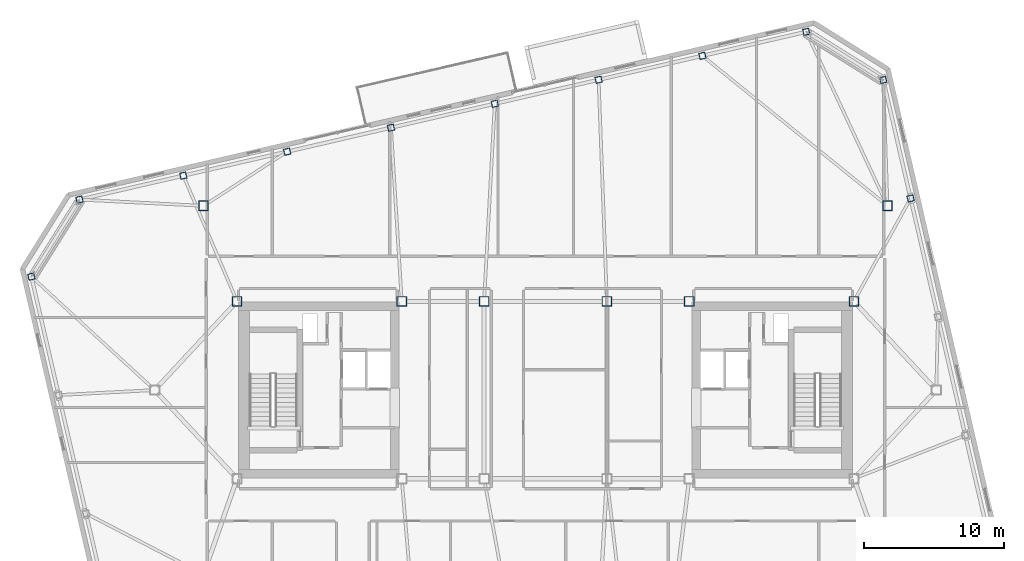
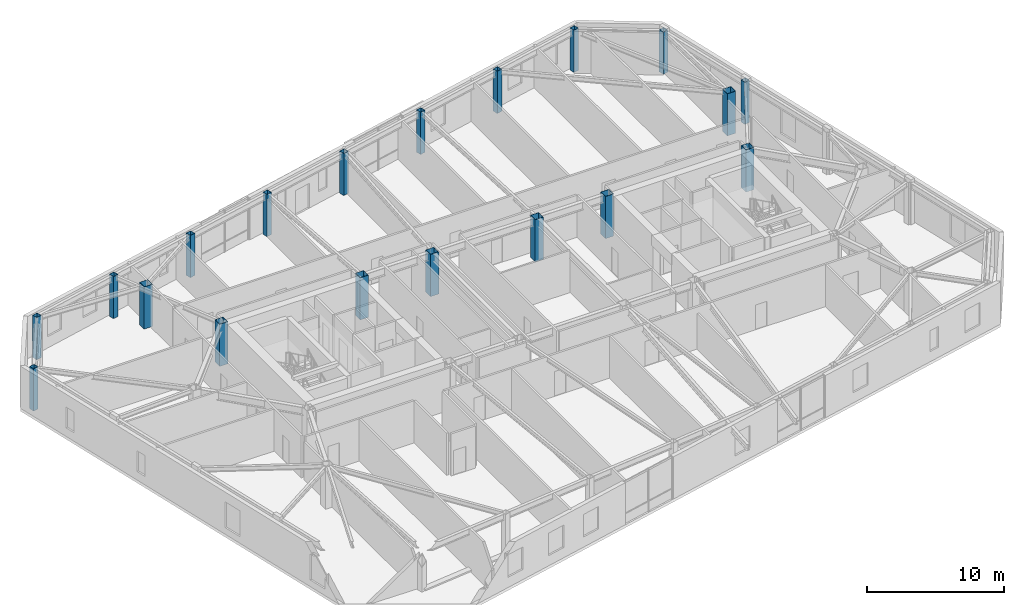
# One storey, part 2 of 24: 19 columns.
"""IFC4 building model written with IfcOpenShell, lengths in metres."""

from ifc_helpers import new_model, si_unit, direction, frame, origin, origin_2d, place, context, subcontext, project, spatial, hollow_rectangle, extrude, material, material_profile, profile_set, type_object, element, save


model = new_model("IFC4")

# Units and contexts
model_context = context("Model", 3, precision=1e-05, world=origin(), true_north=direction((0.0, 1.0)))
body_context = subcontext(model_context, "Body", "Model", "MODEL_VIEW")
ifc_project = project(units=[si_unit("LENGTHUNIT", "METRE"), si_unit("AREAUNIT", "SQUARE_METRE"), si_unit("VOLUMEUNIT", "CUBIC_METRE"), si_unit("PLANEANGLEUNIT", "RADIAN"), si_unit("MASSUNIT", "GRAM", prefix="KILO")], contexts=[model_context])

# Site, building, storey
site_placement = place(None, origin())
site = spatial("IfcSite", under=ifc_project, at=site_placement, CompositionType="ELEMENT")
building_placement = place(site_placement, origin())
building = spatial("IfcBuilding", under=site, at=building_placement, Name="Tavrogorsk Clinical Tower", CompositionType="ELEMENT")
storey_placement = place(building_placement, frame((0.0, 0.0, 321.0)))
storey = spatial("IfcBuildingStorey", under=building, at=storey_placement, Name="L75", CompositionType="ELEMENT", Elevation=321.0)

# Columns
ifc_material_1 = material(Name="Structural steel S440", Category="steel")
ifc_material_profile_1 = material_profile(ifc_material_1, hollow_rectangle(XDim=0.699951171875, YDim=0.699951171875, WallThickness=0.031982421875, at=origin_2d()), Name="BOX-700x700x32")
ifc_profile_set_1 = profile_set([ifc_material_profile_1], Name="Structural steel S440")
column_type_1 = type_object("IfcColumnType", Name="MegaCol_BOX700", PredefinedType="COLUMN", material=ifc_profile_set_1)
for number, where, z_axis, x_axis, name in (
    (1, (-22.10009765625, 6.35009765625, 0.0), (0.0, 0.0, 1.0), (1.0, 0.0, 0.0), "L75 Mega Column MC-W2"),
    (2, (-10.300048828125, 6.35009765625, 0.0), (0.0, 0.0, 1.0), (1.0, 0.0, 0.0), "L75 Mega Column MC-W4"),
    (3, (10.300048828125, 6.35009765625, 0.0), (0.0, 0.0, 1.0), (1.0, 0.0, 0.0), "L75 Mega Column MC-E2"),
    (4, (22.10009765625, 6.35009765625, 0.0), (0.0, 0.0, 1.0), (1.0, 0.0, 0.0), "L75 Mega Column MC-E4"),
    (5, (-4.39990234375, 6.35009765625, 0.0), (0.0, 0.0, 1.0), (1.0, 0.0, 0.0), "L75 Mega Column MC-C3"),
    (6, (4.39990234375, 6.35009765625, 0.0), (0.0, 0.0, 1.0), (1.0, 0.0, 0.0), "L75 Mega Column MC-C4"),
    (7, (-24.5, 13.199951171875, 0.0), (0.0, 0.0, 1.0), (1.0, 0.0, 0.0), "L75 Spine Pilotis Column MC-P3"),
    (8, (24.5, 13.199951171875, 0.0), (0.0, 0.0, 1.0), (1.0, 0.0, 0.0), "L75 Spine Pilotis Column MC-P4"),
):
    element("IfcColumn", number, at=place(storey_placement, frame(where, z_axis=z_axis, x_axis=x_axis)), inside=storey, type_object=column_type_1, Name=name, PredefinedType="COLUMN", context=body_context, shape_type="SweptSolid", body=[
        extrude(hollow_rectangle(XDim=0.699951171875, YDim=0.699951171875, WallThickness=0.031982421875, at=origin_2d()), origin(), (0.0, 0.0, 1.0), 3.739990234375),
    ])
ifc_material_2 = material(Name="Structural steel S440", Category="steel")
ifc_material_profile_2 = material_profile(ifc_material_2, hollow_rectangle(XDim=0.449951171875, YDim=0.449951171875, WallThickness=0.02197265625, at=origin_2d()), Name="BOX-450x450x22")
ifc_profile_set_2 = profile_set([ifc_material_profile_2], Name="Structural steel S440")
column_type_2 = type_object("IfcColumnType", Name="PerimCol_B5_BOX450", PredefinedType="COLUMN", material=ifc_profile_set_2)
for number, where, z_axis, x_axis, name in (
    (9, (18.681640625, 25.666259765625, 0.0), (0.0, 0.0, 1.0), (0.974370064785, 0.224951054344, 0.0), "L75 Perimeter Column N1"),
    (10, (11.2431640625, 23.948974609375, 0.0), (0.0, 0.0, 1.0), (0.974370064785, 0.224951054344, 0.0), "L75 Perimeter Column N2"),
    (11, (3.804443359375, 22.231689453125, 0.0), (0.0, 0.0, 1.0), (0.974370064785, 0.224951054344, 0.0), "L75 Perimeter Column N3"),
    (12, (-3.63427734375, 20.514404296875, 0.0), (0.0, 0.0, 1.0), (0.974370064785, 0.224951054344, 0.0), "L75 Perimeter Column N4"),
    (13, (-11.07275390625, 18.797119140625, 0.0), (0.0, 0.0, 1.0), (0.974370064785, 0.224951054344, 0.0), "L75 Perimeter Column N5"),
    (14, (-18.51123046875, 17.07958984375, 0.0), (0.0, 0.0, 1.0), (0.974370064785, 0.224951054344, 0.0), "L75 Perimeter Column N6"),
    (15, (-25.949951171875, 15.3623046875, 0.0), (0.0, 0.0, 1.0), (0.974370064785, 0.224951054344, 0.0), "L75 Perimeter Column N7"),
    (16, (-33.388671875, 13.64501953125, 0.0), (0.0, 0.0, 1.0), (0.974370064785, 0.224951054344, 0.0), "L75 Perimeter Column N8"),
    (17, (26.157958984375, 13.732177734375, 0.0), (0.0, 0.0, 1.0), (0.974370064785, 0.224951054344, 0.0), "L75 Perimeter Column E4"),
    (18, (24.198486328125, 22.218994140625, 0.0), (0.0, 0.0, 1.0), (0.974370064785, 0.224951054344, 0.0), "L75 Perimeter Column E5"),
    (19, (-36.8359375, 8.128173828125, 0.0), (0.0, 0.0, 1.0), (0.974370064785, 0.224951054344, 0.0), "L75 Perimeter Column W1"),
):
    element("IfcColumn", number, at=place(storey_placement, frame(where, z_axis=z_axis, x_axis=x_axis)), inside=storey, type_object=column_type_2, Name=name, PredefinedType="COLUMN", context=body_context, shape_type="SweptSolid", body=[
        extrude(hollow_rectangle(XDim=0.449951171875, YDim=0.449951171875, WallThickness=0.02197265625, at=origin_2d()), origin(), (0.0, 0.0, 1.0), 3.739990234375),
    ])

save(model, "model.ifc")
